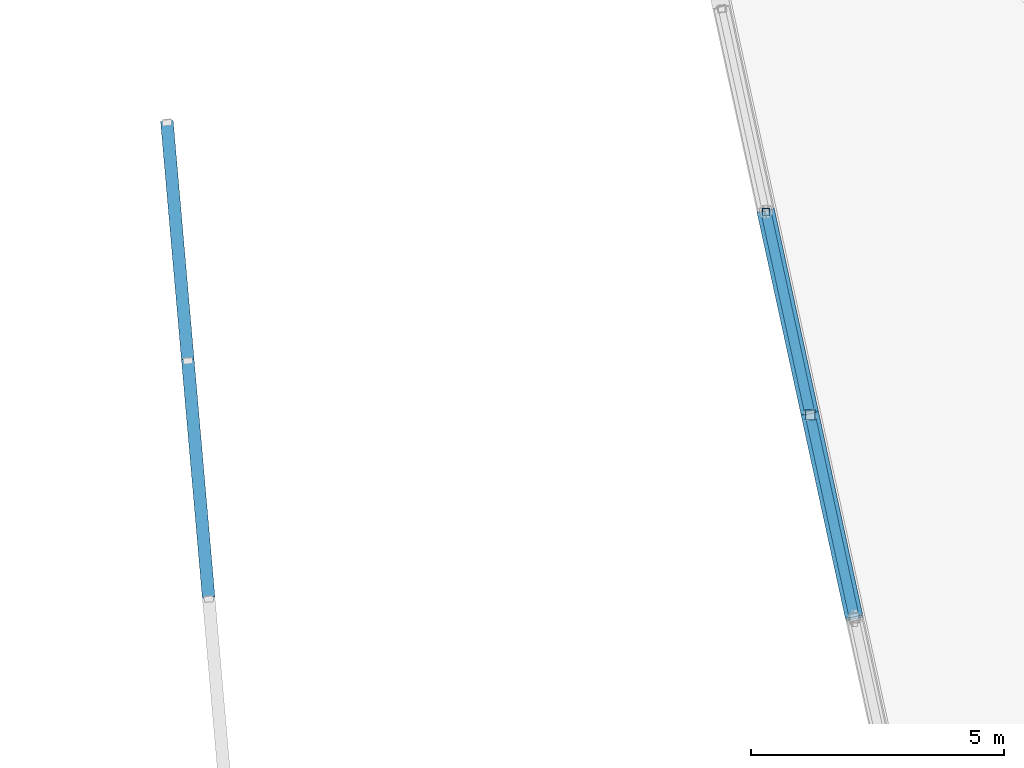
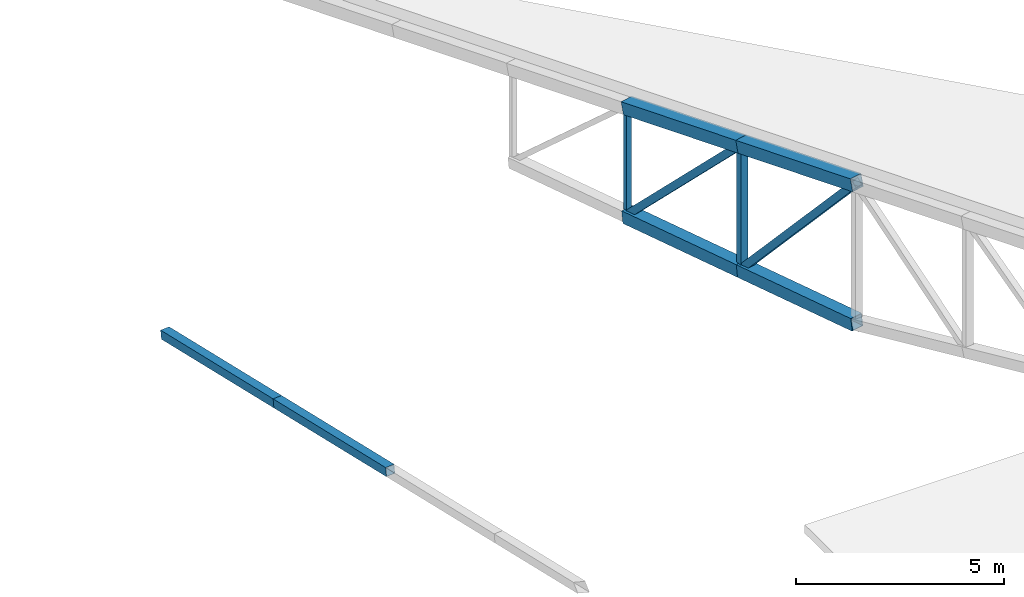
# One storey, part 30 of 188: 10 members.
"""IFC4 building model written with IfcOpenShell, lengths in metres."""

from ifc_helpers import new_model, si_unit, direction, frame, origin, origin_2d, place, context, subcontext, project, spatial, hollow_rectangle, extrude, material, material_profile, profile_set, type_object, element, save


model = new_model("IFC4")

# Units and contexts
model_context = context("Model", 3, precision=1e-05, world=origin(), true_north=direction((0.0, 1.0)))
body_context = subcontext(model_context, "Body", "Model", "MODEL_VIEW")
ifc_project = project(units=[si_unit("LENGTHUNIT", "METRE"), si_unit("AREAUNIT", "SQUARE_METRE"), si_unit("VOLUMEUNIT", "CUBIC_METRE"), si_unit("PLANEANGLEUNIT", "RADIAN"), si_unit("MASSUNIT", "GRAM", prefix="KILO")], contexts=[model_context])

# Site, building, storey
site_placement = place(None, origin())
site = spatial("IfcSite", under=ifc_project, at=site_placement, CompositionType="ELEMENT")
building_placement = place(site_placement, origin())
building = spatial("IfcBuilding", under=site, at=building_placement, Name="Meseta Stadium", CompositionType="ELEMENT")
storey_placement = place(building_placement, frame((0.0, 0.0, 30.0)))
storey = spatial("IfcBuildingStorey", under=building, at=storey_placement, Name="ROOF", CompositionType="ELEMENT", Elevation=30.0)

# Members
ifc_material_1 = material(Name="Steel S355", Category="steel")
ifc_material_profile_1 = material_profile(ifc_material_1, hollow_rectangle(XDim=0.139892578125, YDim=0.139892578125, WallThickness=0.0048828125, at=origin_2d()), Name="SHS 140x140x5")
ifc_profile_set_1 = profile_set([ifc_material_profile_1], Name="Steel S355")
member_type_1 = type_object("IfcMemberType", Name="SHS 140x140x5 post", PredefinedType="POST", material=ifc_profile_set_1)
member_1_placement = place(storey_placement, frame((17.881591796875, -81.88134765625, 1.45947265625), z_axis=(0.0, 0.0, 1.0), x_axis=(1.0, 0.0, 0.0)))
element("IfcMember", 1, at=member_1_placement, inside=storey, type_object=member_type_1, Name="ROOF TRUSS RT-48 post", PredefinedType="POST", context=body_context, shape_type="SweptSolid", body=[
    extrude(hollow_rectangle(XDim=0.139892578125, YDim=0.139892578125, WallThickness=0.0048828125, at=origin_2d()), origin(), (0.0, 0.0, 1.0), 3.203369140625),
])
ifc_material_2 = material(Name="Steel S355", Category="steel")
ifc_material_profile_2 = material_profile(ifc_material_2, hollow_rectangle(XDim=0.199951171875, YDim=0.199951171875, WallThickness=0.008056640625, at=origin_2d()), Name="SHS 200x200x8")
ifc_profile_set_2 = profile_set([ifc_material_profile_2], Name="Steel S355")
member_type_2 = type_object("IfcMemberType", Name="SHS 200x200x8 diagonal", PredefinedType="BRACE", material=ifc_profile_set_2)
member_2_placement = place(storey_placement, frame((17.881591796875, -81.88134765625, 1.45947265625), z_axis=(0.148730248613, -0.683343955454, 0.714786927477), x_axis=(0.977123732443, 0.212671604821, 0.0)))
element("IfcMember", 2, at=member_2_placement, inside=storey, type_object=member_type_2, Name="ROOF TRUSS RT-48 diagonal", PredefinedType="BRACE", context=body_context, shape_type="SweptSolid", body=[
    extrude(hollow_rectangle(XDim=0.199951171875, YDim=0.199951171875, WallThickness=0.008056640625, at=origin_2d()), origin(), (0.0, 0.0, 1.0), 5.8701171875),
])
member_3_placement = place(storey_placement, frame((18.754638671875, -85.892578125, 2.0009765625), z_axis=(0.140771757036, -0.646959431638, 0.749417644732), x_axis=(0.9771360896, 0.212614821687, 0.0)))
element("IfcMember", 3, at=member_3_placement, inside=storey, type_object=member_type_2, Name="ROOF TRUSS RT-48 diagonal", PredefinedType="BRACE", context=body_context, shape_type="SweptSolid", body=[
    extrude(hollow_rectangle(XDim=0.199951171875, YDim=0.199951171875, WallThickness=0.008056640625, at=origin_2d()), origin(), (0.0, 0.0, 1.0), 6.2001953125),
])
ifc_material_3 = material(Name="Steel S355", Category="steel")
ifc_material_profile_3 = material_profile(ifc_material_3, hollow_rectangle(XDim=0.199951171875, YDim=0.199951171875, WallThickness=0.008056640625, at=origin_2d()), Name="SHS 200x200x8")
ifc_profile_set_3 = profile_set([ifc_material_profile_3], Name="Steel S355")
member_type_3 = type_object("IfcMemberType", Name="SHS 200x200x8 post", PredefinedType="POST", material=ifc_profile_set_3)
member_4_placement = place(storey_placement, frame((18.754638671875, -85.892578125, 2.0009765625), z_axis=(0.0, 0.0, 1.0), x_axis=(1.0, 0.0, 0.0)))
element("IfcMember", 4, at=member_4_placement, inside=storey, type_object=member_type_3, Name="ROOF TRUSS RT-48 post", PredefinedType="POST", context=body_context, shape_type="SweptSolid", body=[
    extrude(hollow_rectangle(XDim=0.199951171875, YDim=0.199951171875, WallThickness=0.008056640625, at=origin_2d()), origin(), (0.0, 0.0, 1.0), 3.654296875),
])
ifc_material_4 = material(Name="Steel S355", Category="steel")
ifc_material_profile_4 = material_profile(ifc_material_4, hollow_rectangle(XDim=0.25, YDim=0.25, WallThickness=0.010009765625, at=origin_2d()), Name="SHS 250x250x10")
ifc_profile_set_4 = profile_set([ifc_material_profile_4], Name="Steel S355")
member_type_4 = type_object("IfcMemberType", Name="SHS 250x250x10 top chord", PredefinedType="CHORD", material=ifc_profile_set_4)
for number, where, z_axis, x_axis, name in (
    (5, (6.045654296875, -80.103271484375, 1.03564453125), (0.086403995476, -0.985772447789, 0.144177081208), (0.996180639476, 0.087316284462, 0.0), "ROOF TRUSS RT-47 top chord"),
    (6, (6.458251953125, -84.810546875, 1.72412109375), (0.086403995476, -0.985772447789, 0.144177081208), (0.996180639476, 0.087316284462, 0.0), "ROOF TRUSS RT-47 top chord"),
):
    element("IfcMember", number, at=place(storey_placement, frame(where, z_axis=z_axis, x_axis=x_axis)), inside=storey, type_object=member_type_4, Name=name, PredefinedType="CHORD", context=body_context, shape_type="SweptSolid", body=[
        extrude(hollow_rectangle(XDim=0.25, YDim=0.25, WallThickness=0.010009765625, at=origin_2d()), origin(), (0.0, 0.0, 1.0), 4.775146484375),
    ])
ifc_material_5 = material(Name="Steel S355", Category="steel")
ifc_material_profile_5 = material_profile(ifc_material_5, hollow_rectangle(XDim=0.35009765625, YDim=0.35009765625, WallThickness=0.010009765625, at=origin_2d()), Name="SHS 350x350x10")
ifc_profile_set_5 = profile_set([ifc_material_profile_5], Name="Steel S355")
member_type_5 = type_object("IfcMemberType", Name="SHS 350x350x10 top chord", PredefinedType="CHORD", material=ifc_profile_set_5)
member_5_placement = place(storey_placement, frame((17.881591796875, -81.88134765625, 4.662841796875), z_axis=(0.206716633204, -0.949763502107, 0.234984092274), x_axis=(0.977123732443, 0.212671604821, 0.0)))
element("IfcMember", 7, at=member_5_placement, inside=storey, type_object=member_type_5, Name="ROOF TRUSS RT-48 top chord", PredefinedType="CHORD", context=body_context, shape_type="SweptSolid", body=[
    extrude(hollow_rectangle(XDim=0.35009765625, YDim=0.35009765625, WallThickness=0.010009765625, at=origin_2d()), origin(), (0.0, 0.0, 1.0), 4.223388671875),
])
ifc_material_6 = material(Name="Steel S355", Category="steel")
ifc_material_profile_6 = material_profile(ifc_material_6, hollow_rectangle(XDim=0.35009765625, YDim=0.35009765625, WallThickness=0.01416015625, at=origin_2d()), Name="SHS 350x350x14.2")
ifc_profile_set_6 = profile_set([ifc_material_profile_6], Name="Steel S355")
member_type_6 = type_object("IfcMemberType", Name="SHS 350x350x14.2 bottom chord", PredefinedType="CHORD", material=ifc_profile_set_6)
for number, where, z_axis, x_axis, name in (
    (8, (17.881591796875, -81.88134765625, 1.45947265625), (0.210845171668, -0.968732150589, 0.130775892271), (0.977123732443, 0.212671604821, 0.0), "ROOF TRUSS RT-48 bottom chord"),
    (9, (18.754638671875, -85.892578125, 2.0009765625), (0.210788830599, -0.968744192098, 0.130777517838), (0.9771360896, 0.212614821687, 0.0), "ROOF TRUSS RT-48 bottom chord"),
):
    element("IfcMember", number, at=place(storey_placement, frame(where, z_axis=z_axis, x_axis=x_axis)), inside=storey, type_object=member_type_6, Name=name, PredefinedType="CHORD", context=body_context, shape_type="SweptSolid", body=[
        extrude(hollow_rectangle(XDim=0.35009765625, YDim=0.35009765625, WallThickness=0.01416015625, at=origin_2d()), origin(), (0.0, 0.0, 1.0), 4.140625),
    ])
ifc_material_7 = material(Name="Steel S355", Category="steel")
ifc_material_profile_7 = material_profile(ifc_material_7, hollow_rectangle(XDim=0.35009765625, YDim=0.35009765625, WallThickness=0.01416015625, at=origin_2d()), Name="SHS 350x350x14.2")
ifc_profile_set_7 = profile_set([ifc_material_profile_7], Name="Steel S355")
member_type_7 = type_object("IfcMemberType", Name="SHS 350x350x14.2 top chord", PredefinedType="CHORD", material=ifc_profile_set_7)
member_6_placement = place(storey_placement, frame((18.754638671875, -85.892578125, 5.6552734375), z_axis=(0.206664102721, -0.949787750407, 0.234932283485), x_axis=(0.9771360896, 0.212614821687, 0.0)))
element("IfcMember", 10, at=member_6_placement, inside=storey, type_object=member_type_7, Name="ROOF TRUSS RT-48 top chord", PredefinedType="CHORD", context=body_context, shape_type="SweptSolid", body=[
    extrude(hollow_rectangle(XDim=0.35009765625, YDim=0.35009765625, WallThickness=0.01416015625, at=origin_2d()), origin(), (0.0, 0.0, 1.0), 4.223388671875),
])

save(model, "model.ifc")
